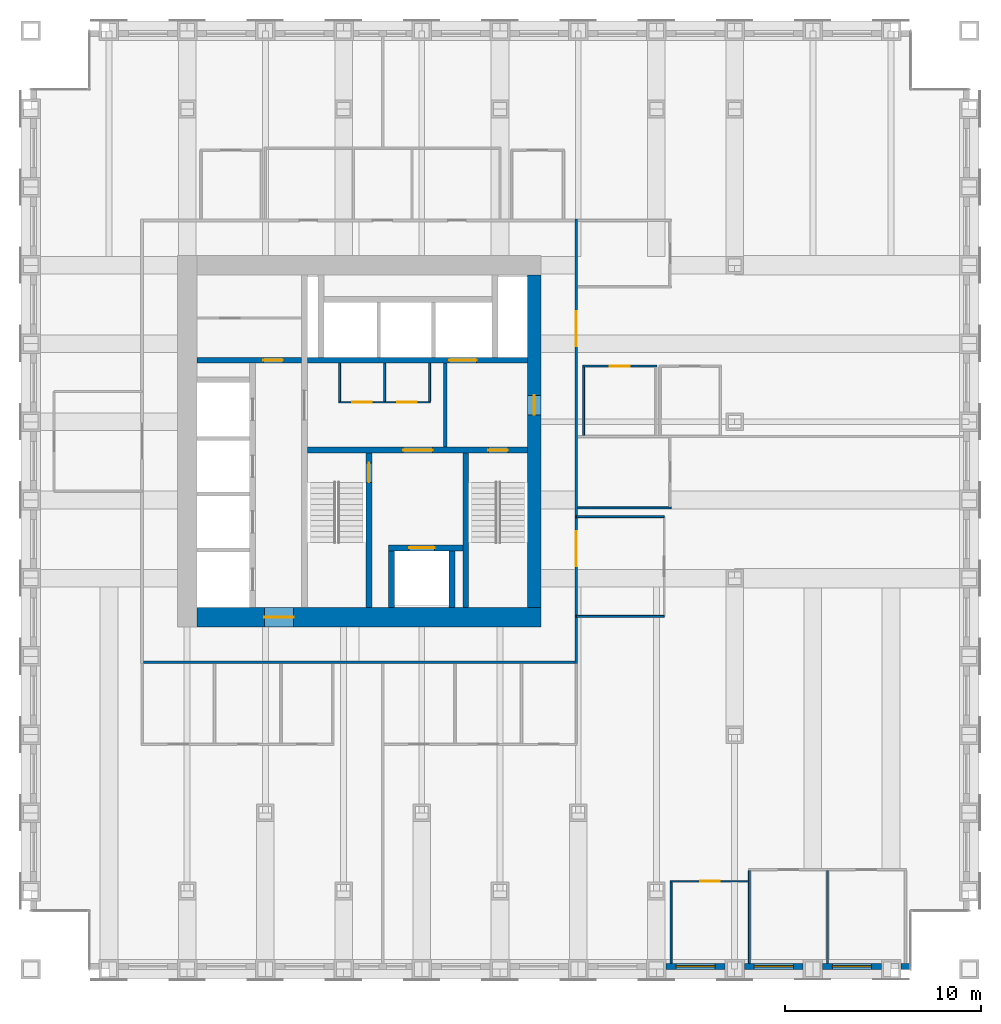
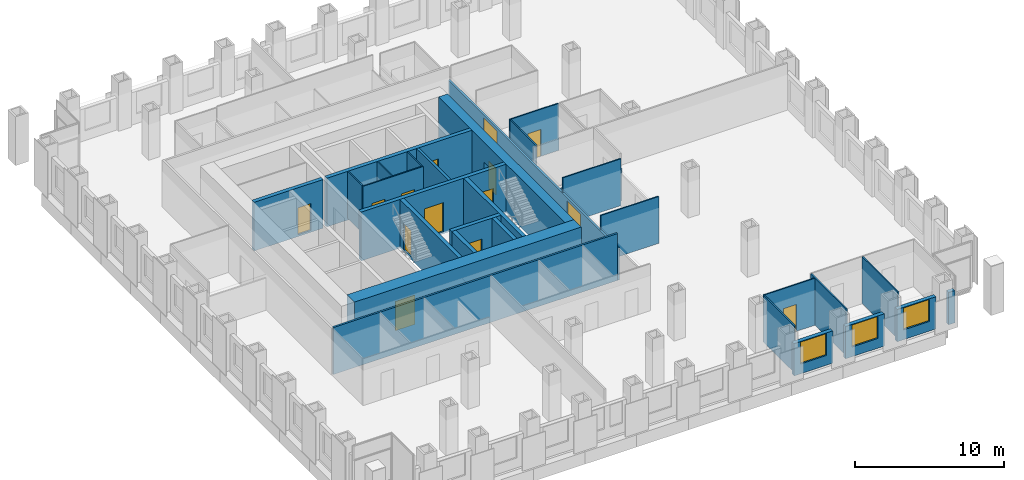
# One storey, part 12 of 17: 30 walls, 14 doors, 3 windows, 17 openings.
"""IFC4 building model written with IfcOpenShell, lengths in metres."""

from ifc_helpers import new_model, si_unit, direction, frame, frame_2d, origin, place, context, subcontext, project, spatial, rectangle, extrude, material, layer, layer_set, type_object, element, fill, save


model = new_model("IFC4")

# Units and contexts
model_context = context("Model", 3, precision=1e-05, world=origin(), true_north=direction((0.0, 1.0)))
body_context = subcontext(model_context, "Body", "Model", "MODEL_VIEW")
ifc_project = project(units=[si_unit("LENGTHUNIT", "METRE"), si_unit("AREAUNIT", "SQUARE_METRE"), si_unit("VOLUMEUNIT", "CUBIC_METRE"), si_unit("PLANEANGLEUNIT", "RADIAN"), si_unit("MASSUNIT", "GRAM", prefix="KILO")], contexts=[model_context])

# Site, building, storey
site_placement = place(None, origin())
site = spatial("IfcSite", under=ifc_project, at=site_placement, CompositionType="ELEMENT")
building_placement = place(site_placement, origin())
building = spatial("IfcBuilding", under=site, at=building_placement, Name="Rimbunsela Tower", CompositionType="ELEMENT")
storey_placement = place(building_placement, frame((0.0, 0.0, 101.39990234375)))
storey = spatial("IfcBuildingStorey", under=building, at=storey_placement, Name="L24", CompositionType="ELEMENT", Elevation=101.39990234375)

# Wall, openings, doors
ifc_material_1 = material(Name="Concrete fc' 80 MPa", Category="concrete")
ifc_layer_1 = layer(ifc_material_1, 0.300048828125)
ifc_layer_set_1 = layer_set([ifc_layer_1], Name="Core internal wall 300")
wall_type_1 = type_object("IfcWallType", Name="Core internal wall 300", PredefinedType="SHEAR", material=ifc_layer_set_1)
wall_1_placement = place(storey_placement, frame((24.14990234375, 26.550048828125, -0.14990234375), z_axis=(0.0, 0.0, 1.0), x_axis=(1.0, 0.0, 0.0)))
wall_1 = element("IfcWall", 1, at=wall_1_placement, inside=storey, type_object=wall_type_1, Name="Core wall lobby south", PredefinedType="SHEAR", context=body_context, shape_type="SweptSolid", body=[
    extrude(rectangle(XDim=11.25, YDim=0.300048828125, at=frame_2d((5.625, 0.0))), origin(), (0.0, 0.0, 1.0), 4.0),
])
opening_1_placement = place(wall_1_placement, frame((9.25, 0.0, 0.14990234375)))
opening_1 = element("IfcOpeningElement", 2, at=opening_1_placement, cuts=wall_1, Name="Opening D01", PredefinedType="OPENING", context=body_context, shape_type="SweptSolid", body=[
    extrude(rectangle(XDim=1.0, YDim=2.199951171875, at=frame_2d((0.5, 1.10009765625))), frame((0.0, 0.159912109375, 0.0), z_axis=(0.0, -1.0, 0.0), x_axis=(1.0, 0.0, 0.0)), (0.0, 0.0, 1.0), 0.320068359375),
])
opening_2_placement = place(wall_1_placement, frame((4.89990234375, 0.0, 0.14990234375)))
opening_2 = element("IfcOpeningElement", 3, at=opening_2_placement, cuts=wall_1, Name="Opening D03", PredefinedType="OPENING", context=body_context, shape_type="SweptSolid", body=[
    extrude(rectangle(XDim=1.5, YDim=2.39990234375, at=frame_2d((0.75, 1.199951171875))), frame((0.0, 0.159912109375, 0.0), z_axis=(0.0, -1.0, 0.0), x_axis=(1.0, 0.0, 0.0)), (0.0, 0.0, 1.0), 0.320068359375),
])
ifc_material_2 = material(Name="Steel door, fire rated", Category="steel")
door_type_1 = type_object("IfcDoorType", Name="Core lobby door 1500", OperationType="DOUBLE_DOOR_DOUBLE_SWING", PredefinedType="DOOR", material=ifc_material_2)
door_1_placement = place(opening_2_placement, origin())
door_1 = element("IfcDoor", 4, at=door_1_placement, inside=storey, type_object=door_type_1, Name="Firefighting lobby door", OperationType="DOUBLE_DOOR_DOUBLE_SWING", OverallHeight=2.39990234375, OverallWidth=1.5, PredefinedType="DOOR", context=body_context, shape_type="SweptSolid", body=[
    extrude(rectangle(XDim=1.5, YDim=2.39990234375, at=frame_2d((0.75, 1.199951171875))), frame((0.0, 0.02490234375, 0.0), z_axis=(0.0, -1.0, 0.0), x_axis=(1.0, 0.0, 0.0)), (0.0, 0.0, 1.0), 0.050048828125),
])
fill(opening_2, door_1)
ifc_material_3 = material(Name="Steel door, fire rated", Category="steel")
door_type_2 = type_object("IfcDoorType", Name="Stair door 1000", OperationType="SINGLE_SWING_RIGHT", PredefinedType="DOOR", material=ifc_material_3)
door_2_placement = place(opening_1_placement, frame((1.0, 0.0, 0.0), z_axis=(0.0, 0.0, 1.0), x_axis=(-1.0, 0.0, 0.0)))
door_2 = element("IfcDoor", 5, at=door_2_placement, inside=storey, type_object=door_type_2, Name="Stair B door", OperationType="SINGLE_SWING_RIGHT", OverallHeight=2.199951171875, OverallWidth=1.0, PredefinedType="DOOR", context=body_context, shape_type="SweptSolid", body=[
    extrude(rectangle(XDim=1.0, YDim=2.199951171875, at=frame_2d((0.5, 1.10009765625))), frame((0.0, 0.02490234375, 0.0), z_axis=(0.0, -1.0, 0.0), x_axis=(1.0, 0.0, 0.0)), (0.0, 0.0, 1.0), 0.050048828125),
])
fill(opening_1, door_2)

# Wall, opening, door
wall_2_placement = place(storey_placement, frame((27.300048828125, 18.5, -0.14990234375), z_axis=(0.0, 0.0, 1.0), x_axis=(0.0, 1.0, 0.0)))
wall_2 = element("IfcWall", 6, at=wall_2_placement, inside=storey, type_object=wall_type_1, Name="Stair A enclosure", PredefinedType="SHEAR", context=body_context, shape_type="SweptSolid", body=[
    extrude(rectangle(XDim=7.89990234375, YDim=0.300048828125, at=frame_2d((3.949951171875, 0.0))), origin(), (0.0, 0.0, 1.0), 4.0),
])
opening_3_placement = place(wall_2_placement, frame((6.39990234375, 0.0, 0.14990234375)))
opening_3 = element("IfcOpeningElement", 7, at=opening_3_placement, cuts=wall_2, Name="Opening D01", PredefinedType="OPENING", context=body_context, shape_type="SweptSolid", body=[
    extrude(rectangle(XDim=1.0, YDim=2.199951171875, at=frame_2d((0.5, 1.10009765625))), frame((0.0, 0.159912109375, 0.0), z_axis=(0.0, -1.0, 0.0), x_axis=(1.0, 0.0, 0.0)), (0.0, 0.0, 1.0), 0.320068359375),
])
door_3_placement = place(opening_3_placement, origin())
door_3 = element("IfcDoor", 8, at=door_3_placement, inside=storey, type_object=door_type_2, Name="Stair A door", OperationType="SINGLE_SWING_RIGHT", OverallHeight=2.199951171875, OverallWidth=1.0, PredefinedType="DOOR", context=body_context, shape_type="SweptSolid", body=[
    extrude(rectangle(XDim=1.0, YDim=2.199951171875, at=frame_2d((0.5, 1.10009765625))), frame((0.0, 0.02490234375, 0.0), z_axis=(0.0, -1.0, 0.0), x_axis=(1.0, 0.0, 0.0)), (0.0, 0.0, 1.0), 0.050048828125),
])
fill(opening_3, door_3)

# Walls
wall_3_placement = place(storey_placement, frame((32.25, 18.5, -0.14990234375), z_axis=(0.0, 0.0, 1.0), x_axis=(0.0, 1.0, 0.0)))
element("IfcWall", 9, at=wall_3_placement, inside=storey, type_object=wall_type_1, Name="Stair B enclosure", PredefinedType="SHEAR", context=body_context, shape_type="SweptSolid", body=[
    extrude(rectangle(XDim=7.89990234375, YDim=0.300048828125, at=frame_2d((3.949951171875, 0.0))), origin(), (0.0, 0.0, 1.0), 4.0),
])
for number, where, z_axis, x_axis, name in (
    (10, (28.449951171875, 18.5, -0.14990234375), (0.0, 0.0, 1.0), (0.0, 1.0, 0.0), "Firefighting lift shaft west"),
    (11, (31.550048828125, 18.5, -0.14990234375), (0.0, 0.0, 1.0), (0.0, 1.0, 0.0), "Firefighting lift shaft east"),
):
    element("IfcWall", number, at=place(storey_placement, frame(where, z_axis=z_axis, x_axis=x_axis)), inside=storey, type_object=wall_type_1, Name=name, PredefinedType="SHEAR", context=body_context, shape_type="SweptSolid", body=[
        extrude(rectangle(XDim=2.89990234375, YDim=0.300048828125, at=frame_2d((1.449951171875, 0.0))), origin(), (0.0, 0.0, 1.0), 4.0),
    ])

# Wall, opening, door
wall_4_placement = place(storey_placement, frame((28.300048828125, 21.550048828125, -0.14990234375), z_axis=(0.0, 0.0, 1.0), x_axis=(1.0, 0.0, 0.0)))
wall_4 = element("IfcWall", 12, at=wall_4_placement, inside=storey, type_object=wall_type_1, Name="Firefighting lift shaft front", PredefinedType="SHEAR", context=body_context, shape_type="SweptSolid", body=[
    extrude(rectangle(XDim=3.800048828125, YDim=0.300048828125, at=frame_2d((1.89990234375, 0.0))), origin(), (0.0, 0.0, 1.0), 4.0),
])
opening_4_placement = place(wall_4_placement, frame((1.050048828125, 0.0, 0.14990234375)))
opening_4 = element("IfcOpeningElement", 13, at=opening_4_placement, cuts=wall_4, Name="Opening LD2", PredefinedType="OPENING", context=body_context, shape_type="SweptSolid", body=[
    extrude(rectangle(XDim=1.300048828125, YDim=2.39990234375, at=frame_2d((0.64990234375, 1.199951171875))), frame((0.0, 0.159912109375, 0.0), z_axis=(0.0, -1.0, 0.0), x_axis=(1.0, 0.0, 0.0)), (0.0, 0.0, 1.0), 0.320068359375),
])
ifc_material_4 = material(Name="Steel door, fire rated", Category="steel")
door_type_3 = type_object("IfcDoorType", Name="Lift landing door 1300", OperationType="DOUBLE_DOOR_SLIDING", PredefinedType="DOOR", material=ifc_material_4)
door_4_placement = place(opening_4_placement, origin())
door_4 = element("IfcDoor", 14, at=door_4_placement, inside=storey, type_object=door_type_3, Name="Lift landing door FL1", OperationType="DOUBLE_DOOR_SLIDING", OverallHeight=2.39990234375, OverallWidth=1.300048828125, PredefinedType="DOOR", context=body_context, shape_type="SweptSolid", body=[
    extrude(rectangle(XDim=1.300048828125, YDim=2.39990234375, at=frame_2d((0.64990234375, 1.199951171875))), frame((0.0, 0.02490234375, 0.0), z_axis=(0.0, -1.0, 0.0), x_axis=(1.0, 0.0, 0.0)), (0.0, 0.0, 1.0), 0.050048828125),
])
fill(opening_4, door_4)

wall_5_placement = place(storey_placement, frame((24.14990234375, 31.14990234375, -0.14990234375), z_axis=(0.0, 0.0, 1.0), x_axis=(1.0, 0.0, 0.0)))
wall_5 = element("IfcWall", 15, at=wall_5_placement, inside=storey, type_object=wall_type_1, Name="Lift shaft front north", PredefinedType="SHEAR", context=body_context, shape_type="SweptSolid", body=[
    extrude(rectangle(XDim=11.25, YDim=0.300048828125, at=frame_2d((5.625, 0.0))), origin(), (0.0, 0.0, 1.0), 4.0),
])
opening_5_placement = place(wall_5_placement, frame((7.25, 0.0, 0.14990234375)))
opening_5 = element("IfcOpeningElement", 16, at=opening_5_placement, cuts=wall_5, Name="Opening LD3", PredefinedType="OPENING", context=body_context, shape_type="SweptSolid", body=[
    extrude(rectangle(XDim=1.39990234375, YDim=2.39990234375, at=frame_2d((0.699951171875, 1.199951171875))), frame((0.0, 0.159912109375, 0.0), z_axis=(0.0, -1.0, 0.0), x_axis=(1.0, 0.0, 0.0)), (0.0, 0.0, 1.0), 0.320068359375),
])
ifc_material_5 = material(Name="Steel door, fire rated", Category="steel")
door_type_4 = type_object("IfcDoorType", Name="Lift landing door 1400", OperationType="DOUBLE_DOOR_SLIDING", PredefinedType="DOOR", material=ifc_material_5)
door_5_placement = place(opening_5_placement, origin())
door_5 = element("IfcDoor", 17, at=door_5_placement, inside=storey, type_object=door_type_4, Name="Lift landing door FL2", OperationType="DOUBLE_DOOR_SLIDING", OverallHeight=2.39990234375, OverallWidth=1.39990234375, PredefinedType="DOOR", context=body_context, shape_type="SweptSolid", body=[
    extrude(rectangle(XDim=1.39990234375, YDim=2.39990234375, at=frame_2d((0.699951171875, 1.199951171875))), frame((0.0, 0.02490234375, 0.0), z_axis=(0.0, -1.0, 0.0), x_axis=(1.0, 0.0, 0.0)), (0.0, 0.0, 1.0), 0.050048828125),
])
fill(opening_5, door_5)

wall_6_placement = place(storey_placement, frame((18.5, 31.14990234375, -0.14990234375), z_axis=(0.0, 0.0, 1.0), x_axis=(1.0, 0.0, 0.0)))
wall_6 = element("IfcWall", 18, at=wall_6_placement, inside=storey, type_object=wall_type_1, Name="Store wall", PredefinedType="SHEAR", context=body_context, shape_type="SweptSolid", body=[
    extrude(rectangle(XDim=5.35009765625, YDim=0.300048828125, at=frame_2d((2.675048828125, 0.0))), origin(), (0.0, 0.0, 1.0), 4.0),
])
opening_6_placement = place(wall_6_placement, frame((3.39990234375, 0.0, 0.14990234375)))
opening_6 = element("IfcOpeningElement", 19, at=opening_6_placement, cuts=wall_6, Name="Opening D19", PredefinedType="OPENING", context=body_context, shape_type="SweptSolid", body=[
    extrude(rectangle(XDim=1.0, YDim=2.199951171875, at=frame_2d((0.5, 1.10009765625))), frame((0.0, 0.159912109375, 0.0), z_axis=(0.0, -1.0, 0.0), x_axis=(1.0, 0.0, 0.0)), (0.0, 0.0, 1.0), 0.320068359375),
])
ifc_material_6 = material(Name="Steel door, fire rated", Category="steel")
door_type_5 = type_object("IfcDoorType", Name="Service door 1000 fire rated", OperationType="SINGLE_SWING_LEFT", PredefinedType="DOOR", material=ifc_material_6)
door_6_placement = place(opening_6_placement, origin())
door_6 = element("IfcDoor", 20, at=door_6_placement, inside=storey, type_object=door_type_5, Name="Cleaners store door", OperationType="SINGLE_SWING_LEFT", OverallHeight=2.199951171875, OverallWidth=1.0, PredefinedType="DOOR", context=body_context, shape_type="SweptSolid", body=[
    extrude(rectangle(XDim=1.0, YDim=2.199951171875, at=frame_2d((0.5, 1.10009765625))), frame((0.0, 0.02490234375, 0.0), z_axis=(0.0, -1.0, 0.0), x_axis=(1.0, 0.0, 0.0)), (0.0, 0.0, 1.0), 0.050048828125),
])
fill(opening_6, door_6)

# Wall, openings, doors
ifc_material_7 = material(Name="Concrete blockwork", Category="masonry")
ifc_layer_2 = layer(ifc_material_7, 0.10009765625)
ifc_layer_set_2 = layer_set([ifc_layer_2], Name="Core room partition 100")
wall_type_2 = type_object("IfcWallType", Name="Core room partition 100", PredefinedType="PARTITIONING", material=ifc_layer_set_2)
wall_7_placement = place(storey_placement, frame((25.75, 29.0, 0.0), z_axis=(0.0, 0.0, 1.0), x_axis=(1.0, 0.0, 0.0)))
wall_7 = element("IfcWall", 21, at=wall_7_placement, inside=storey, type_object=wall_type_2, Name="Lobby room wall", PredefinedType="PARTITIONING", context=body_context, shape_type="SweptSolid", body=[
    extrude(rectangle(XDim=4.699951171875, YDim=0.10009765625, at=frame_2d((2.35009765625, 0.0))), origin(), (0.0, 0.0, 1.0), 3.85009765625),
])
opening_7_placement = place(wall_7_placement, frame((0.699951171875, 0.0, 0.0)))
opening_7 = element("IfcOpeningElement", 22, at=opening_7_placement, cuts=wall_7, Name="Opening D19", PredefinedType="OPENING", context=body_context, shape_type="SweptSolid", body=[
    extrude(rectangle(XDim=1.0, YDim=2.199951171875, at=frame_2d((0.5, 1.10009765625))), frame((0.0, 0.06005859375, 0.0), z_axis=(0.0, -1.0, 0.0), x_axis=(1.0, 0.0, 0.0)), (0.0, 0.0, 1.0), 0.1201171875),
])
opening_8_placement = place(wall_7_placement, frame((3.0, 0.0, 0.0)))
opening_8 = element("IfcOpeningElement", 23, at=opening_8_placement, cuts=wall_7, Name="Opening D19", PredefinedType="OPENING", context=body_context, shape_type="SweptSolid", body=[
    extrude(rectangle(XDim=1.0, YDim=2.199951171875, at=frame_2d((0.5, 1.10009765625))), frame((0.0, 0.06005859375, 0.0), z_axis=(0.0, -1.0, 0.0), x_axis=(1.0, 0.0, 0.0)), (0.0, 0.0, 1.0), 0.1201171875),
])
door_7_placement = place(opening_7_placement, origin())
door_7 = element("IfcDoor", 24, at=door_7_placement, inside=storey, type_object=door_type_5, Name="Staff WC door", OperationType="SINGLE_SWING_LEFT", OverallHeight=2.199951171875, OverallWidth=1.0, PredefinedType="DOOR", context=body_context, shape_type="SweptSolid", body=[
    extrude(rectangle(XDim=1.0, YDim=2.199951171875, at=frame_2d((0.5, 1.10009765625))), frame((0.0, 0.02490234375, 0.0), z_axis=(0.0, -1.0, 0.0), x_axis=(1.0, 0.0, 0.0)), (0.0, 0.0, 1.0), 0.050048828125),
])
fill(opening_7, door_7)
door_8_placement = place(opening_8_placement, origin())
door_8 = element("IfcDoor", 25, at=door_8_placement, inside=storey, type_object=door_type_5, Name="Cleaners store door", OperationType="SINGLE_SWING_LEFT", OverallHeight=2.199951171875, OverallWidth=1.0, PredefinedType="DOOR", context=body_context, shape_type="SweptSolid", body=[
    extrude(rectangle(XDim=1.0, YDim=2.199951171875, at=frame_2d((0.5, 1.10009765625))), frame((0.0, 0.02490234375, 0.0), z_axis=(0.0, -1.0, 0.0), x_axis=(1.0, 0.0, 0.0)), (0.0, 0.0, 1.0), 0.050048828125),
])
fill(opening_8, door_8)

# Walls
for number, where, z_axis, x_axis, name in (
    (26, (25.800048828125, 29.050048828125, 0.0), (0.0, 0.0, 1.0), (0.0, 1.0, 0.0), "Lobby room wall"),
    (27, (30.39990234375, 29.050048828125, 0.0), (0.0, 0.0, 1.0), (0.0, 1.0, 0.0), "Lobby room wall"),
    (28, (28.10009765625, 29.050048828125, 0.0), (0.0, 0.0, 1.0), (0.0, 1.0, 0.0), "Lobby room wall"),
):
    element("IfcWall", number, at=place(storey_placement, frame(where, z_axis=z_axis, x_axis=x_axis)), inside=storey, type_object=wall_type_2, Name=name, PredefinedType="PARTITIONING", context=body_context, shape_type="SweptSolid", body=[
        extrude(rectangle(XDim=1.949951171875, YDim=0.10009765625, at=frame_2d((0.97509765625, 0.0))), origin(), (0.0, 0.0, 1.0), 3.85009765625),
    ])

# Wall, opening, door
ifc_material_8 = material(Name="Concrete fc' 80 MPa", Category="concrete")
ifc_layer_3 = layer(ifc_material_8, 1.0)
ifc_layer_set_3 = layer_set([ifc_layer_3], Name="Core wall 1000")
wall_type_3 = type_object("IfcWallType", Name="Core wall 1000", PredefinedType="SHEAR", material=ifc_layer_set_3)
wall_8_placement = place(storey_placement, frame((18.5, 18.0, -0.14990234375), z_axis=(0.0, 0.0, 1.0), x_axis=(1.0, 0.0, 0.0)))
wall_8 = element("IfcWall", 29, at=wall_8_placement, inside=storey, type_object=wall_type_3, Name="Core wall south", PredefinedType="SHEAR", context=body_context, shape_type="SweptSolid", body=[
    extrude(rectangle(XDim=17.60009765625, YDim=1.0, at=frame_2d((8.800048828125, 0.0))), origin(), (0.0, 0.0, 1.0), 4.0),
])
opening_9_placement = place(wall_8_placement, frame((3.449951171875, 0.0, 0.14990234375)))
opening_9 = element("IfcOpeningElement", 30, at=opening_9_placement, cuts=wall_8, Name="Opening D03", PredefinedType="OPENING", context=body_context, shape_type="SweptSolid", body=[
    extrude(rectangle(XDim=1.5, YDim=2.39990234375, at=frame_2d((0.75, 1.199951171875))), frame((0.0, 0.510009765625, 0.0), z_axis=(0.0, -1.0, 0.0), x_axis=(1.0, 0.0, 0.0)), (0.0, 0.0, 1.0), 1.02001953125),
])
door_9_placement = place(opening_9_placement, origin())
door_9 = element("IfcDoor", 31, at=door_9_placement, inside=storey, type_object=door_type_1, Name="Core door south", OperationType="DOUBLE_DOOR_DOUBLE_SWING", OverallHeight=2.39990234375, OverallWidth=1.5, PredefinedType="DOOR", context=body_context, shape_type="SweptSolid", body=[
    extrude(rectangle(XDim=1.5, YDim=2.39990234375, at=frame_2d((0.75, 1.199951171875))), frame((0.0, 0.02490234375, 0.0), z_axis=(0.0, -1.0, 0.0), x_axis=(1.0, 0.0, 0.0)), (0.0, 0.0, 1.0), 0.050048828125),
])
fill(opening_9, door_9)

ifc_material_9 = material(Name="Concrete fc' 80 MPa", Category="concrete")
ifc_layer_4 = layer(ifc_material_9, 0.699951171875)
ifc_layer_set_4 = layer_set([ifc_layer_4], Name="Core wall 700 east")
wall_type_4 = type_object("IfcWallType", Name="Core wall 700 east", PredefinedType="SHEAR", material=ifc_layer_set_4)
wall_9_placement = place(storey_placement, frame((35.75, 18.5, -0.14990234375), z_axis=(0.0, 0.0, 1.0), x_axis=(0.0, 1.0, 0.0)))
wall_9 = element("IfcWall", 32, at=wall_9_placement, inside=storey, type_object=wall_type_4, Name="Core wall east", PredefinedType="SHEAR", context=body_context, shape_type="SweptSolid", body=[
    extrude(rectangle(XDim=17.0, YDim=0.699951171875, at=frame_2d((8.5, 0.0))), origin(), (0.0, 0.0, 1.0), 4.0),
])
opening_10_placement = place(wall_9_placement, frame((9.85009765625, 0.0, 0.14990234375)))
opening_10 = element("IfcOpeningElement", 33, at=opening_10_placement, cuts=wall_9, Name="Opening D01", PredefinedType="OPENING", context=body_context, shape_type="SweptSolid", body=[
    extrude(rectangle(XDim=1.0, YDim=2.199951171875, at=frame_2d((0.5, 1.10009765625))), frame((0.0, 0.35986328125, 0.0), z_axis=(0.0, -1.0, 0.0), x_axis=(1.0, 0.0, 0.0)), (0.0, 0.0, 1.0), 0.719970703125),
])
door_10_placement = place(opening_10_placement, origin())
door_10 = element("IfcDoor", 34, at=door_10_placement, inside=storey, type_object=door_type_2, Name="Firefighting lobby 2 door", OperationType="SINGLE_SWING_RIGHT", OverallHeight=2.199951171875, OverallWidth=1.0, PredefinedType="DOOR", context=body_context, shape_type="SweptSolid", body=[
    extrude(rectangle(XDim=1.0, YDim=2.199951171875, at=frame_2d((0.5, 1.10009765625))), frame((0.0, 0.02490234375, 0.0), z_axis=(0.0, -1.0, 0.0), x_axis=(1.0, 0.0, 0.0)), (0.0, 0.0, 1.0), 0.050048828125),
])
fill(opening_10, door_10)

# Wall
ifc_material_10 = material(Name="Concrete blockwork", Category="masonry")
ifc_layer_5 = layer(ifc_material_10, 0.199951171875)
ifc_layer_set_5 = layer_set([ifc_layer_5], Name="Lift shaft wall 200")
wall_type_5 = type_object("IfcWallType", Name="Lift shaft wall 200", PredefinedType="SOLIDWALL", material=ifc_layer_set_5)
wall_10_placement = place(storey_placement, frame((31.199951171875, 26.699951171875, 0.0), z_axis=(0.0, 0.0, 1.0), x_axis=(0.0, 1.0, 0.0)))
element("IfcWall", 35, at=wall_10_placement, inside=storey, type_object=wall_type_5, Name="Firefighting lobby 2 wall", PredefinedType="SOLIDWALL", context=body_context, shape_type="SweptSolid", body=[
    extrude(rectangle(XDim=4.300048828125, YDim=0.199951171875, at=frame_2d((2.14990234375, 0.0))), origin(), (0.0, 0.0, 1.0), 3.85009765625),
])

# Wall, opening, door
ifc_material_11 = material(Name="Gypsum board on steel studs", Category="steel")
ifc_layer_6 = layer(ifc_material_11, 0.10009765625)
ifc_layer_set_6 = layer_set([ifc_layer_6], Name="Office partition 100")
wall_type_6 = type_object("IfcWallType", Name="Office partition 100", PredefinedType="PARTITIONING", material=ifc_layer_set_6)
wall_11_placement = place(storey_placement, frame((42.699951171875, 4.5, 0.0), z_axis=(0.0, 0.0, 1.0), x_axis=(1.0, 0.0, 0.0)))
wall_11 = element("IfcWall", 36, at=wall_11_placement, inside=storey, type_object=wall_type_6, Name="Office partition", PredefinedType="PARTITIONING", context=body_context, shape_type="SweptSolid", body=[
    extrude(rectangle(XDim=4.0, YDim=0.10009765625, at=frame_2d((2.0, 0.0))), origin(), (0.0, 0.0, 1.0), 3.85009765625),
])
opening_11_placement = place(wall_11_placement, frame((1.550048828125, 0.0, 0.0)))
opening_11 = element("IfcOpeningElement", 37, at=opening_11_placement, cuts=wall_11, Name="Opening D16", PredefinedType="OPENING", context=body_context, shape_type="SweptSolid", body=[
    extrude(rectangle(XDim=1.0, YDim=2.199951171875, at=frame_2d((0.5, 1.10009765625))), frame((0.0, 0.06005859375, 0.0), z_axis=(0.0, -1.0, 0.0), x_axis=(1.0, 0.0, 0.0)), (0.0, 0.0, 1.0), 0.1201171875),
])
ifc_material_12 = material(Name="Timber door", Category="wood")
door_type_6 = type_object("IfcDoorType", Name="Office door 1000", OperationType="SINGLE_SWING_LEFT", PredefinedType="DOOR", material=ifc_material_12)
door_11_placement = place(opening_11_placement, origin())
door_11 = element("IfcDoor", 38, at=door_11_placement, inside=storey, type_object=door_type_6, Name="Office door", OperationType="SINGLE_SWING_LEFT", OverallHeight=2.199951171875, OverallWidth=1.0, PredefinedType="DOOR", context=body_context, shape_type="SweptSolid", body=[
    extrude(rectangle(XDim=1.0, YDim=2.199951171875, at=frame_2d((0.5, 1.10009765625))), frame((0.0, 0.02490234375, 0.0), z_axis=(0.0, -1.0, 0.0), x_axis=(1.0, 0.0, 0.0)), (0.0, 0.0, 1.0), 0.050048828125),
])
fill(opening_11, door_11)

# Wall
wall_12_placement = place(storey_placement, frame((37.97509765625, 23.59912109375, 0.0), z_axis=(0.0, 0.0, 1.0), x_axis=(1.0, 0.0, 0.0)))
element("IfcWall", 39, at=wall_12_placement, inside=storey, type_object=wall_type_6, Name="Office partition", PredefinedType="PARTITIONING", context=body_context, shape_type="SweptSolid", body=[
    extrude(rectangle(XDim=4.77490234375, YDim=0.10009765625, at=frame_2d((2.387451171875, 0.0))), origin(), (0.0, 0.0, 1.0), 2.650146484375),
])

# Wall, opening, door
wall_13_placement = place(storey_placement, frame((38.22509765625, 30.85009765625, 0.0), z_axis=(0.0, 0.0, 1.0), x_axis=(1.0, 0.0, 0.0)))
wall_13 = element("IfcWall", 40, at=wall_13_placement, inside=storey, type_object=wall_type_6, Name="Office partition", PredefinedType="PARTITIONING", context=body_context, shape_type="SweptSolid", body=[
    extrude(rectangle(XDim=3.7998046875, YDim=0.10009765625, at=frame_2d((1.89990234375, 0.0))), origin(), (0.0, 0.0, 1.0), 3.85009765625),
])
opening_12_placement = place(wall_13_placement, frame((1.39990234375, 0.0, 0.0)))
opening_12 = element("IfcOpeningElement", 41, at=opening_12_placement, cuts=wall_13, Name="Opening D17", PredefinedType="OPENING", context=body_context, shape_type="SweptSolid", body=[
    extrude(rectangle(XDim=1.0, YDim=2.199951171875, at=frame_2d((0.5, 1.10009765625))), frame((0.0, 0.06005859375, 0.0), z_axis=(0.0, -1.0, 0.0), x_axis=(1.0, 0.0, 0.0)), (0.0, 0.0, 1.0), 0.1201171875),
])
ifc_material_13 = material(Name="Glazed aluminium door", Category="aluminium")
door_type_7 = type_object("IfcDoorType", Name="Meeting room door 1000 glazed", OperationType="SINGLE_SWING_RIGHT", PredefinedType="DOOR", material=ifc_material_13)
door_12_placement = place(opening_12_placement, origin())
door_12 = element("IfcDoor", 42, at=door_12_placement, inside=storey, type_object=door_type_7, Name="Meeting room door", OperationType="SINGLE_SWING_RIGHT", OverallHeight=2.199951171875, OverallWidth=1.0, PredefinedType="DOOR", context=body_context, shape_type="SweptSolid", body=[
    extrude(rectangle(XDim=1.0, YDim=2.199951171875, at=frame_2d((0.5, 1.10009765625))), frame((0.0, 0.02490234375, 0.0), z_axis=(0.0, -1.0, 0.0), x_axis=(1.0, 0.0, 0.0)), (0.0, 0.0, 1.0), 0.050048828125),
])
fill(opening_12, door_12)

# Walls
wall_14_placement = place(storey_placement, frame((38.27490234375, 27.31005859375, 0.0), z_axis=(0.0, 0.0, 1.0), x_axis=(0.0, 1.0, 0.0)))
element("IfcWall", 43, at=wall_14_placement, inside=storey, type_object=wall_type_6, Name="Office partition", PredefinedType="PARTITIONING", context=body_context, shape_type="SweptSolid", body=[
    extrude(rectangle(XDim=3.489990234375, YDim=0.10009765625, at=frame_2d((1.7451171875, 0.0))), origin(), (0.0, 0.0, 1.0), 3.85009765625),
])
wall_15_placement = place(storey_placement, frame((42.75, 0.300048828125, 0.0), z_axis=(0.0, 0.0, 1.0), x_axis=(0.0, 1.0, 0.0)))
element("IfcWall", 44, at=wall_15_placement, inside=storey, type_object=wall_type_6, Name="Office partition", PredefinedType="PARTITIONING", context=body_context, shape_type="SweptSolid", body=[
    extrude(rectangle(XDim=4.14990234375, YDim=0.10009765625, at=frame_2d((2.074951171875, 0.0))), origin(), (0.0, 0.0, 1.0), 3.85009765625),
])
for number, where, z_axis, x_axis, name in (
    (45, (46.75, 0.300048828125, 0.0), (0.0, 0.0, 1.0), (0.0, 1.0, 0.0), "Office partition"),
    (46, (50.75, 0.300048828125, 0.0), (0.0, 0.0, 1.0), (0.0, 1.0, 0.0), "Office partition"),
):
    element("IfcWall", number, at=place(storey_placement, frame(where, z_axis=z_axis, x_axis=x_axis)), inside=storey, type_object=wall_type_6, Name=name, PredefinedType="PARTITIONING", context=body_context, shape_type="SweptSolid", body=[
        extrude(rectangle(XDim=4.75, YDim=0.10009765625, at=frame_2d((2.375, 0.0))), origin(), (0.0, 0.0, 1.0), 3.85009765625),
    ])
for number, where, z_axis, x_axis, name in (
    (47, (37.89990234375, 18.049072265625, 0.0), (0.0, 0.0, 1.0), (1.0, 0.0, 0.0), "Office partition"),
    (48, (42.39990234375, 23.14892578125, 0.0), (0.0, 0.0, 1.0), (-1.0, 0.0, 0.0), "Office partition"),
):
    element("IfcWall", number, at=place(storey_placement, frame(where, z_axis=z_axis, x_axis=x_axis)), inside=storey, type_object=wall_type_6, Name=name, PredefinedType="PARTITIONING", context=body_context, shape_type="SweptSolid", body=[
        extrude(rectangle(XDim=4.5, YDim=0.10009765625, at=frame_2d((2.25, 0.0))), origin(), (0.0, 0.0, 1.0), 3.85009765625),
    ])

# Wall, opening, window
ifc_material_14 = material(Name="Precast concrete fc' 35 MPa", Category="concrete")
ifc_layer_7 = layer(ifc_material_14, 0.300048828125)
ifc_layer_set_7 = layer_set([ifc_layer_7], Name="Precast concrete fc' 35 MPa")
wall_type_7 = type_object("IfcWallType", Name="Precast facade panel 300", PredefinedType="ELEMENTEDWALL", material=ifc_layer_set_7)
wall_16_placement = place(storey_placement, frame((42.5, 0.14990234375, 0.0), z_axis=(0.0, 0.0, 1.0), x_axis=(1.0, 0.0, 0.0)))
wall_16 = element("IfcWall", 49, at=wall_16_placement, inside=storey, type_object=wall_type_7, Name="Facade panel S L24", PredefinedType="ELEMENTEDWALL", context=body_context, shape_type="SweptSolid", body=[
    extrude(rectangle(XDim=3.0, YDim=0.300048828125, at=frame_2d((1.5, 0.0))), origin(), (0.0, 0.0, 1.0), 2.650146484375),
])
opening_13_placement = place(wall_16_placement, frame((0.5, 0.0, 0.800048828125)))
opening_13 = element("IfcOpeningElement", 50, at=opening_13_placement, cuts=wall_16, Name="Opening W7", PredefinedType="OPENING", context=body_context, shape_type="SweptSolid", body=[
    extrude(rectangle(XDim=2.0, YDim=1.800048828125, at=frame_2d((1.0, 0.89990234375))), frame((0.0, 0.159912109375, 0.0), z_axis=(0.0, -1.0, 0.0), x_axis=(1.0, 0.0, 0.0)), (0.0, 0.0, 1.0), 0.320068359375),
])
ifc_material_15 = material(Name="Clear glass in aluminium frame", Category="aluminium")
window_type = type_object("IfcWindowType", Name="Window W7 2000x1800", PartitioningType="DOUBLE_PANEL_VERTICAL", PredefinedType="WINDOW", material=ifc_material_15)
window_1_placement = place(opening_13_placement, origin())
window_1 = element("IfcWindow", 51, at=window_1_placement, inside=storey, type_object=window_type, Name="Window L24", OverallHeight=1.800048828125, OverallWidth=2.0, PartitioningType="SINGLE_PANEL", PredefinedType="WINDOW", context=body_context, shape_type="SweptSolid", body=[
    extrude(rectangle(XDim=2.0, YDim=1.800048828125, at=frame_2d((1.0, 0.89990234375))), frame((0.0, 0.030029296875, 0.0), z_axis=(0.0, -1.0, 0.0), x_axis=(1.0, 0.0, 0.0)), (0.0, 0.0, 1.0), 0.06005859375),
])
fill(opening_13, window_1)

wall_17_placement = place(storey_placement, frame((46.5, 0.14990234375, 0.0), z_axis=(0.0, 0.0, 1.0), x_axis=(1.0, 0.0, 0.0)))
wall_17 = element("IfcWall", 52, at=wall_17_placement, inside=storey, type_object=wall_type_7, Name="Facade panel S L24", PredefinedType="ELEMENTEDWALL", context=body_context, shape_type="SweptSolid", body=[
    extrude(rectangle(XDim=3.0, YDim=0.300048828125, at=frame_2d((1.5, 0.0))), origin(), (0.0, 0.0, 1.0), 2.650146484375),
])
opening_14_placement = place(wall_17_placement, frame((0.5, 0.0, 0.800048828125)))
opening_14 = element("IfcOpeningElement", 53, at=opening_14_placement, cuts=wall_17, Name="Opening W7", PredefinedType="OPENING", context=body_context, shape_type="SweptSolid", body=[
    extrude(rectangle(XDim=2.0, YDim=1.800048828125, at=frame_2d((1.0, 0.89990234375))), frame((0.0, 0.159912109375, 0.0), z_axis=(0.0, -1.0, 0.0), x_axis=(1.0, 0.0, 0.0)), (0.0, 0.0, 1.0), 0.320068359375),
])
window_2_placement = place(opening_14_placement, origin())
window_2 = element("IfcWindow", 54, at=window_2_placement, inside=storey, type_object=window_type, Name="Window L24", OverallHeight=1.800048828125, OverallWidth=2.0, PartitioningType="SINGLE_PANEL", PredefinedType="WINDOW", context=body_context, shape_type="SweptSolid", body=[
    extrude(rectangle(XDim=2.0, YDim=1.800048828125, at=frame_2d((1.0, 0.89990234375))), frame((0.0, 0.030029296875, 0.0), z_axis=(0.0, -1.0, 0.0), x_axis=(1.0, 0.0, 0.0)), (0.0, 0.0, 1.0), 0.06005859375),
])
fill(opening_14, window_2)

wall_18_placement = place(storey_placement, frame((50.5, 0.14990234375, 0.0), z_axis=(0.0, 0.0, 1.0), x_axis=(1.0, 0.0, 0.0)))
wall_18 = element("IfcWall", 55, at=wall_18_placement, inside=storey, type_object=wall_type_7, Name="Facade panel S L24", PredefinedType="ELEMENTEDWALL", context=body_context, shape_type="SweptSolid", body=[
    extrude(rectangle(XDim=3.0, YDim=0.300048828125, at=frame_2d((1.5, 0.0))), origin(), (0.0, 0.0, 1.0), 2.650146484375),
])
opening_15_placement = place(wall_18_placement, frame((0.5, 0.0, 0.800048828125)))
opening_15 = element("IfcOpeningElement", 56, at=opening_15_placement, cuts=wall_18, Name="Opening W7", PredefinedType="OPENING", context=body_context, shape_type="SweptSolid", body=[
    extrude(rectangle(XDim=2.0, YDim=1.800048828125, at=frame_2d((1.0, 0.89990234375))), frame((0.0, 0.159912109375, 0.0), z_axis=(0.0, -1.0, 0.0), x_axis=(1.0, 0.0, 0.0)), (0.0, 0.0, 1.0), 0.320068359375),
])
window_3_placement = place(opening_15_placement, origin())
window_3 = element("IfcWindow", 57, at=window_3_placement, inside=storey, type_object=window_type, Name="Window L24", OverallHeight=1.800048828125, OverallWidth=2.0, PartitioningType="SINGLE_PANEL", PredefinedType="WINDOW", context=body_context, shape_type="SweptSolid", body=[
    extrude(rectangle(XDim=2.0, YDim=1.800048828125, at=frame_2d((1.0, 0.89990234375))), frame((0.0, 0.030029296875, 0.0), z_axis=(0.0, -1.0, 0.0), x_axis=(1.0, 0.0, 0.0)), (0.0, 0.0, 1.0), 0.06005859375),
])
fill(opening_15, window_3)

# Wall
wall_19_placement = place(storey_placement, frame((54.5, 0.14990234375, 0.0), z_axis=(0.0, 0.0, 1.0), x_axis=(1.0, 0.0, 0.0)))
element("IfcWall", 58, at=wall_19_placement, inside=storey, type_object=wall_type_7, Name="Facade panel S L24", PredefinedType="ELEMENTEDWALL", context=body_context, shape_type="SweptSolid", body=[
    extrude(rectangle(XDim=0.469970703125, YDim=0.300048828125, at=frame_2d((0.23486328125, 0.0))), origin(), (0.0, 0.0, 1.0), 2.650146484375),
])

# Wall, openings, doors
ifc_material_16 = material(Name="Fire-rated gypsum board on steel studs, EI 60", Category="steel")
ifc_layer_8 = layer(ifc_material_16, 0.14990234375)
ifc_layer_set_8 = layer_set([ifc_layer_8], Name="Rated corridor wall 150")
wall_type_8 = type_object("IfcWallType", Name="Rated corridor wall 150", PredefinedType="PARTITIONING", material=ifc_layer_set_8)
wall_20_placement = place(storey_placement, frame((37.89990234375, 15.625, 0.0), z_axis=(0.0, 0.0, 1.0), x_axis=(0.0, 1.0, 0.0)))
wall_20 = element("IfcWall", 59, at=wall_20_placement, inside=storey, type_object=wall_type_8, Name="Corridor wall east", PredefinedType="PARTITIONING", context=body_context, shape_type="SweptSolid", body=[
    extrude(rectangle(XDim=22.75, YDim=0.14990234375, at=frame_2d((11.375, 0.0))), origin(), (0.0, 0.0, 1.0), 2.650146484375),
])
opening_16_placement = place(wall_20_placement, frame((4.97412109375, 0.0, 0.0)))
opening_16 = element("IfcOpeningElement", 60, at=opening_16_placement, cuts=wall_20, Name="Opening D09", PredefinedType="OPENING", context=body_context, shape_type="SweptSolid", body=[
    extrude(rectangle(XDim=1.800048828125, YDim=2.39990234375, at=frame_2d((0.89990234375, 1.199951171875))), frame((0.0, 0.0849609375, 0.0), z_axis=(0.0, -1.0, 0.0), x_axis=(1.0, 0.0, 0.0)), (0.0, 0.0, 1.0), 0.169921875),
])
opening_17_placement = place(wall_20_placement, frame((16.22607421875, 0.0, 0.0)))
opening_17 = element("IfcOpeningElement", 61, at=opening_17_placement, cuts=wall_20, Name="Opening D09", PredefinedType="OPENING", context=body_context, shape_type="SweptSolid", body=[
    extrude(rectangle(XDim=1.800048828125, YDim=2.39990234375, at=frame_2d((0.89990234375, 1.199951171875))), frame((0.0, 0.0849609375, 0.0), z_axis=(0.0, -1.0, 0.0), x_axis=(1.0, 0.0, 0.0)), (0.0, 0.0, 1.0), 0.169921875),
])
ifc_material_17 = material(Name="Glazed aluminium door, fire rated", Category="aluminium")
door_type_8 = type_object("IfcDoorType", Name="Tenancy door 1800 glazed", OperationType="DOUBLE_DOOR_DOUBLE_SWING", PredefinedType="DOOR", material=ifc_material_17)
door_13_placement = place(opening_16_placement, origin())
door_13 = element("IfcDoor", 62, at=door_13_placement, inside=storey, type_object=door_type_8, Name="Tenancy door", OperationType="DOUBLE_DOOR_DOUBLE_SWING", OverallHeight=2.39990234375, OverallWidth=1.800048828125, PredefinedType="DOOR", context=body_context, shape_type="SweptSolid", body=[
    extrude(rectangle(XDim=1.800048828125, YDim=2.39990234375, at=frame_2d((0.89990234375, 1.199951171875))), frame((0.0, 0.02490234375, 0.0), z_axis=(0.0, -1.0, 0.0), x_axis=(1.0, 0.0, 0.0)), (0.0, 0.0, 1.0), 0.050048828125),
])
fill(opening_16, door_13)
door_14_placement = place(opening_17_placement, origin())
door_14 = element("IfcDoor", 63, at=door_14_placement, inside=storey, type_object=door_type_8, Name="Tenancy door", OperationType="DOUBLE_DOOR_DOUBLE_SWING", OverallHeight=2.39990234375, OverallWidth=1.800048828125, PredefinedType="DOOR", context=body_context, shape_type="SweptSolid", body=[
    extrude(rectangle(XDim=1.800048828125, YDim=2.39990234375, at=frame_2d((0.89990234375, 1.199951171875))), frame((0.0, 0.02490234375, 0.0), z_axis=(0.0, -1.0, 0.0), x_axis=(1.0, 0.0, 0.0)), (0.0, 0.0, 1.0), 0.050048828125),
])
fill(opening_17, door_14)

# Wall
wall_21_placement = place(storey_placement, frame((15.77490234375, 15.699951171875, 0.0), z_axis=(0.0, 0.0, 1.0), x_axis=(1.0, 0.0, 0.0)))
element("IfcWall", 64, at=wall_21_placement, inside=storey, type_object=wall_type_8, Name="Corridor wall south", PredefinedType="PARTITIONING", context=body_context, shape_type="SweptSolid", body=[
    extrude(rectangle(XDim=22.050048828125, YDim=0.14990234375, at=frame_2d((11.02490234375, 0.0))), origin(), (0.0, 0.0, 1.0), 3.85009765625),
])

save(model, "model.ifc")
